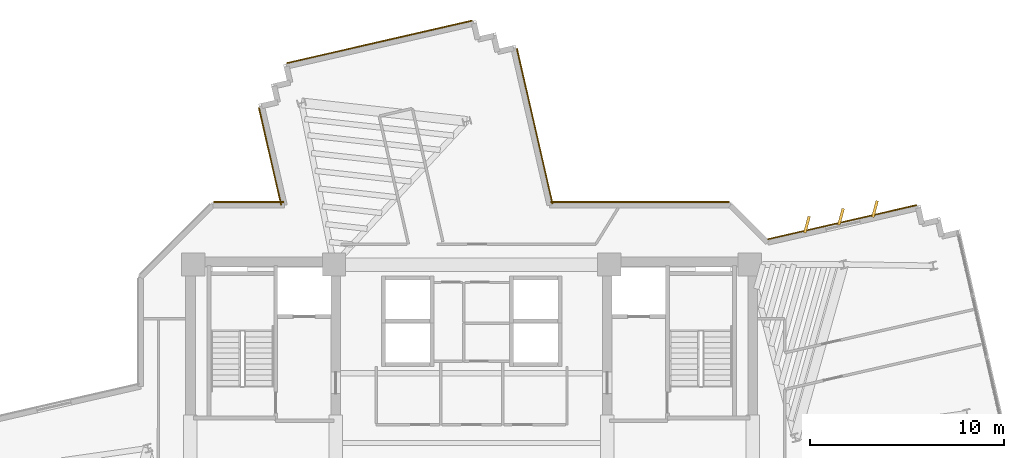
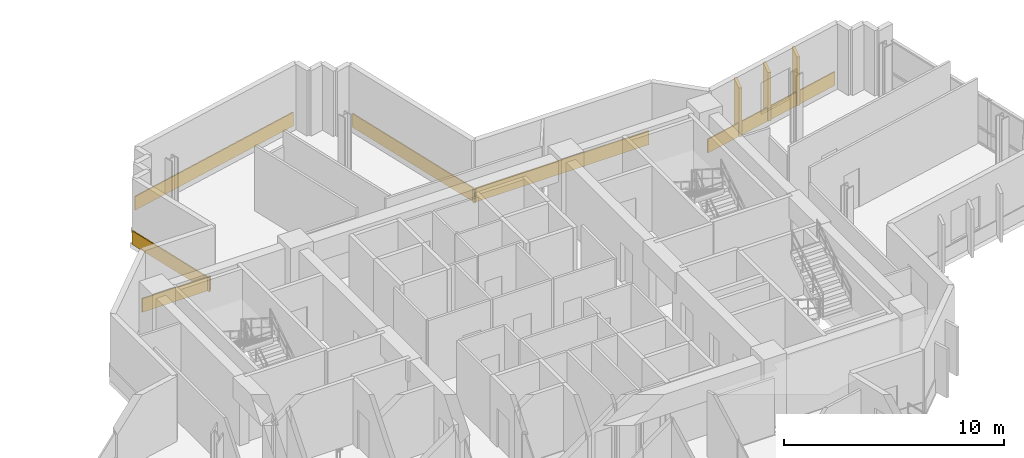
# One storey, part 13 of 13: 9 coverings.
"""IFC4 building model written with IfcOpenShell, lengths in metres."""

from ifc_helpers import new_model, si_unit, direction, frame, origin, origin_2d, place, context, subcontext, project, spatial, rectangle, extrude, source, transform, mapped, material, layer, layer_set, type_object, element, save


model = new_model("IFC4")

# Units and contexts
model_context = context("Model", 3, precision=1e-05, world=origin(), true_north=direction((0.0, 1.0)))
body_context = subcontext(model_context, "Body", "Model", "MODEL_VIEW")
ifc_project = project(units=[si_unit("LENGTHUNIT", "METRE"), si_unit("AREAUNIT", "SQUARE_METRE"), si_unit("VOLUMEUNIT", "CUBIC_METRE"), si_unit("PLANEANGLEUNIT", "RADIAN"), si_unit("MASSUNIT", "GRAM", prefix="KILO")], contexts=[model_context])

# Site, building, storey
site_placement = place(None, origin())
site = spatial("IfcSite", under=ifc_project, at=site_placement, CompositionType="ELEMENT")
building_placement = place(site_placement, origin())
building = spatial("IfcBuilding", under=site, at=building_placement, Name="Zahravan Cultural Tower", CompositionType="ELEMENT")
storey_placement = place(building_placement, frame((0.0, 0.0, 170.699951171875)))
storey = spatial("IfcBuildingStorey", under=building, at=storey_placement, Name="L39", CompositionType="ELEMENT", Elevation=170.699951171875)

# Coverings
ifc_material = material(Name="Terracotta ceramic cladding", Category="masonry")
ifc_layer = layer(ifc_material, 0.06005859375)
ifc_layer_set = layer_set([ifc_layer], Name="Terracotta ceramic cladding")
covering_type = type_object("IfcCoveringType", Name="COV-CLAD-TC60", PredefinedType="CLADDING", material=ifc_layer_set)
shared_shape_1 = source(origin(), body_context, "Body", "SweptSolid", [
    extrude(rectangle(XDim=0.8798828125, YDim=0.139892578125, at=origin_2d()), origin(), (0.0, 0.0, 1.0), 2.699951171875),
])
for number, where, z_axis, x_axis, name in (
    (1, (53.29541015625, 38.26220703125, 0.05029296875), (0.0, 0.0, 1.0), (0.260167479254, 0.965563505285, 0.0), "L39 Herringbone Terracotta Fin 01"),
    (2, (55.0498046875, 38.664794921875, 0.05029296875), (0.0, 0.0, 1.0), (0.260167479254, 0.965563505285, 0.0), "L39 Herringbone Terracotta Fin 02"),
    (3, (56.80419921875, 39.067138671875, 0.05029296875), (0.0, 0.0, 1.0), (0.260167479254, 0.965563505285, 0.0), "L39 Herringbone Terracotta Fin 03"),
):
    element("IfcCovering", number, at=place(storey_placement, frame(where, z_axis=z_axis, x_axis=x_axis)), inside=storey, type_object=covering_type, Name=name, PredefinedType="CLADDING", context=body_context, shape_type="MappedRepresentation", body=[
        mapped(shared_shape_1, transform((0.0, 0.0, 0.0), x_axis=(1.0, 0.0, 0.0), y_axis=(0.0, 1.0, 0.0), z_axis=(0.0, 0.0, 1.0), scale=1.0)),
    ])
shared_shape_2 = source(origin(), body_context, "Body", "SweptSolid", [
    extrude(rectangle(XDim=7.868896484375, YDim=0.06005859375, at=origin_2d()), origin(), (0.0, 0.0, 1.0), 0.760009765625),
])
covering_1_placement = place(storey_placement, frame((55.113525390625, 38.386962890625, 0.02001953125), z_axis=(0.0, 0.0, 1.0), x_axis=(0.974683205815, 0.223590358248, 0.0)))
element("IfcCovering", 4, at=covering_1_placement, inside=storey, type_object=covering_type, Name="L39 Terracotta Spandrel Cladding 01", PredefinedType="CLADDING", context=body_context, shape_type="MappedRepresentation", body=[
    mapped(shared_shape_2, transform((0.0, 0.0, 0.0), x_axis=(1.0, 0.0, 0.0), y_axis=(0.0, 1.0, 0.0), z_axis=(0.0, 0.0, 1.0), scale=1.0)),
])
shared_shape_3 = source(origin(), body_context, "Body", "SweptSolid", [
    extrude(rectangle(XDim=3.5966796875, YDim=0.06005859375, at=origin_2d()), origin(), (0.0, 0.0, 1.0), 0.760009765625),
])
covering_2_placement = place(storey_placement, frame((24.50634765625, 39.425048828125, 0.02001953125), z_axis=(0.0, 0.0, 1.0), x_axis=(1.0, 0.0, 0.0)))
element("IfcCovering", 5, at=covering_2_placement, inside=storey, type_object=covering_type, Name="L39 Terracotta Spandrel Cladding 39", PredefinedType="CLADDING", context=body_context, shape_type="MappedRepresentation", body=[
    mapped(shared_shape_3, transform((0.0, 0.0, 0.0), x_axis=(1.0, 0.0, 0.0), y_axis=(0.0, 1.0, 0.0), z_axis=(0.0, 0.0, 1.0), scale=1.0)),
])
shared_shape_4 = source(origin(), body_context, "Body", "SweptSolid", [
    extrude(rectangle(XDim=5.15380859375, YDim=0.06005859375, at=origin_2d()), origin(), (0.0, 0.0, 1.0), 0.760009765625),
])
covering_3_placement = place(storey_placement, frame((25.6064453125, 41.783447265625, 0.02001953125), z_axis=(0.0, 0.0, 1.0), x_axis=(-0.223590358248, 0.974683205815, 0.0)))
element("IfcCovering", 6, at=covering_3_placement, inside=storey, type_object=covering_type, Name="L39 Terracotta Spandrel Cladding 40", PredefinedType="CLADDING", context=body_context, shape_type="MappedRepresentation", body=[
    mapped(shared_shape_4, transform((0.0, 0.0, 0.0), x_axis=(1.0, 0.0, 0.0), y_axis=(0.0, 1.0, 0.0), z_axis=(0.0, 0.0, 1.0), scale=1.0)),
])
shared_shape_5 = source(origin(), body_context, "Body", "SweptSolid", [
    extrude(rectangle(XDim=9.81982421875, YDim=0.06005859375, at=origin_2d()), origin(), (0.0, 0.0, 1.0), 0.760009765625),
])
covering_4_placement = place(storey_placement, frame((31.25439453125, 47.6875, 0.02001953125), z_axis=(0.0, 0.0, 1.0), x_axis=(0.974683205815, 0.223590358248, 0.0)))
element("IfcCovering", 7, at=covering_4_placement, inside=storey, type_object=covering_type, Name="L39 Terracotta Spandrel Cladding 45", PredefinedType="CLADDING", context=body_context, shape_type="MappedRepresentation", body=[
    mapped(shared_shape_5, transform((0.0, 0.0, 0.0), x_axis=(1.0, 0.0, 0.0), y_axis=(0.0, 1.0, 0.0), z_axis=(0.0, 0.0, 1.0), scale=1.0)),
])
shared_shape_6 = source(origin(), body_context, "Body", "SweptSolid", [
    extrude(rectangle(XDim=8.209228515625, YDim=0.06005859375, at=origin_2d()), origin(), (0.0, 0.0, 1.0), 0.760009765625),
])
covering_5_placement = place(storey_placement, frame((39.25244140625, 43.34619140625, 0.02001953125), z_axis=(0.0, 0.0, 1.0), x_axis=(0.223607369645, -0.974679303279, 0.0)))
element("IfcCovering", 8, at=covering_5_placement, inside=storey, type_object=covering_type, Name="L39 Terracotta Spandrel Cladding 50", PredefinedType="CLADDING", context=body_context, shape_type="MappedRepresentation", body=[
    mapped(shared_shape_6, transform((0.0, 0.0, 0.0), x_axis=(1.0, 0.0, 0.0), y_axis=(0.0, 1.0, 0.0), z_axis=(0.0, 0.0, 1.0), scale=1.0)),
])
shared_shape_7 = source(origin(), body_context, "Body", "SweptSolid", [
    extrude(rectangle(XDim=9.221435546875, YDim=0.06005859375, at=origin_2d()), origin(), (0.0, 0.0, 1.0), 0.760009765625),
])
covering_6_placement = place(storey_placement, frame((44.681396484375, 39.425048828125, 0.02001953125), z_axis=(0.0, 0.0, 1.0), x_axis=(1.0, 0.0, 0.0)))
element("IfcCovering", 9, at=covering_6_placement, inside=storey, type_object=covering_type, Name="L39 Terracotta Spandrel Cladding 51", PredefinedType="CLADDING", context=body_context, shape_type="MappedRepresentation", body=[
    mapped(shared_shape_7, transform((0.0, 0.0, 0.0), x_axis=(1.0, 0.0, 0.0), y_axis=(0.0, 1.0, 0.0), z_axis=(0.0, 0.0, 1.0), scale=1.0)),
])

save(model, "model.ifc")
